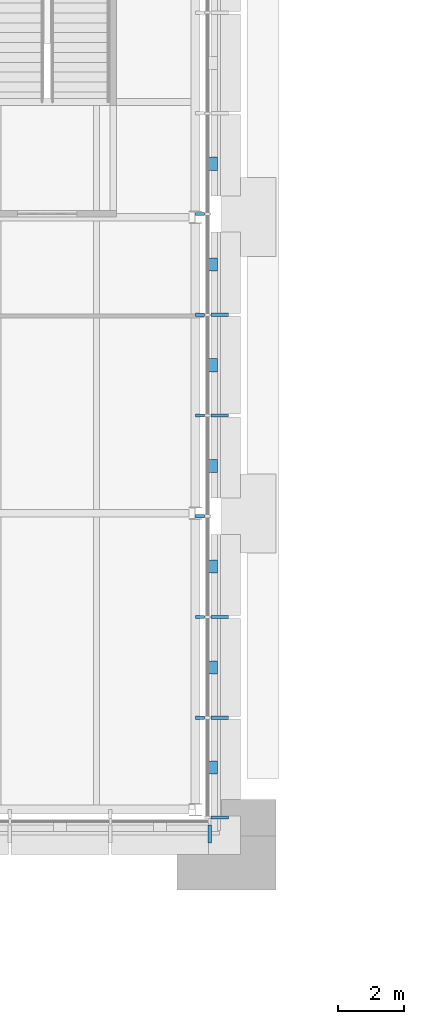
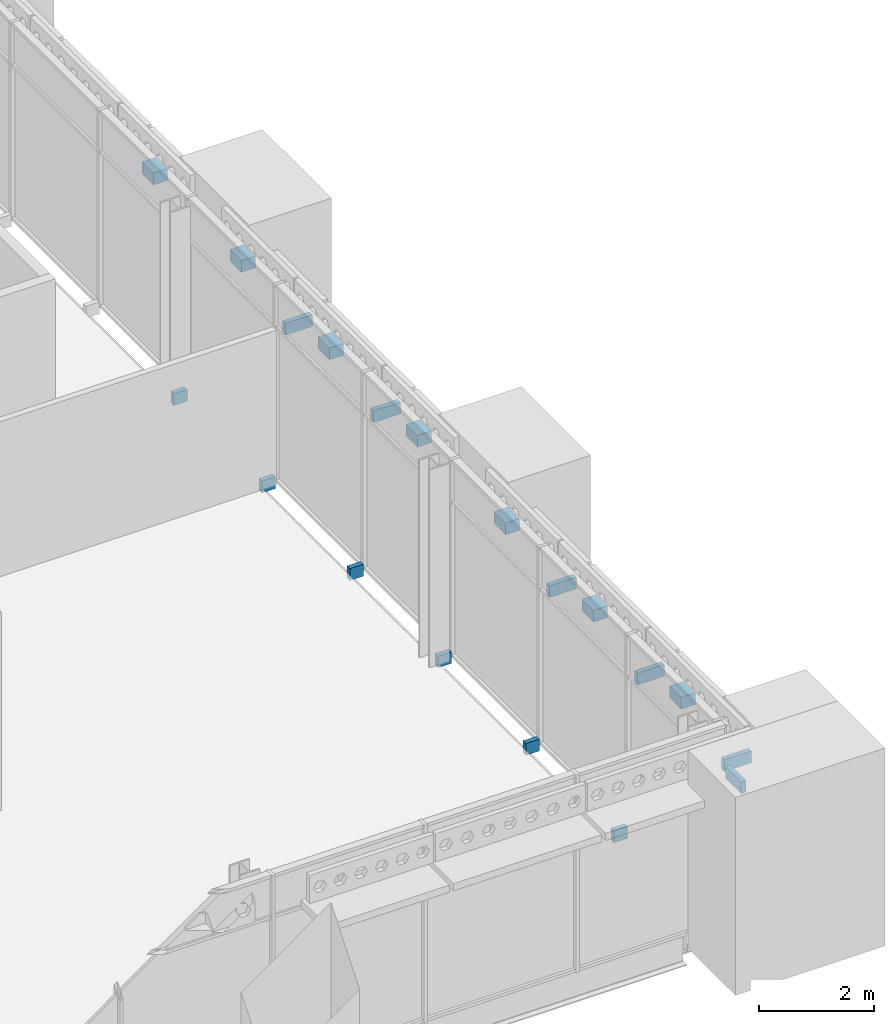
# One storey, part 120 of 153: 19 discrete accessories.
"""IFC4 building model written with IfcOpenShell, lengths in metres."""

from ifc_helpers import new_model, si_unit, direction, frame, origin, origin_2d, place, context, subcontext, project, spatial, rectangle, extrude, material, type_object, element, save


model = new_model("IFC4")

# Units and contexts
model_context = context("Model", 3, precision=1e-05, world=origin(), true_north=direction((0.0, 1.0)))
body_context = subcontext(model_context, "Body", "Model", "MODEL_VIEW")
ifc_project = project(units=[si_unit("LENGTHUNIT", "METRE"), si_unit("AREAUNIT", "SQUARE_METRE"), si_unit("VOLUMEUNIT", "CUBIC_METRE"), si_unit("PLANEANGLEUNIT", "RADIAN"), si_unit("MASSUNIT", "GRAM", prefix="KILO")], contexts=[model_context])

# Site, building, storey
site_placement = place(None, origin())
site = spatial("IfcSite", under=ifc_project, at=site_placement, CompositionType="ELEMENT")
building_placement = place(site_placement, origin())
building = spatial("IfcBuilding", under=site, at=building_placement, Name="Baradari Gate Terminus", CompositionType="ELEMENT")
storey_placement = place(building_placement, frame((0.0, 0.0, 11.699951171875)))
storey = spatial("IfcBuildingStorey", under=building, at=storey_placement, Name="L02", CompositionType="ELEMENT", Elevation=11.699951171875)

# Discrete accessories
ifc_material_1 = material(Name="Steel S275", Category="steel")
discrete_accessory_type_1 = type_object("IfcDiscreteAccessoryType", Name="Chhajja bracket BK-3 galvanised steel", PredefinedType="BRACKET", material=ifc_material_1)
for number, where, z_axis, x_axis, name in (
    (1, (63.4375, 116.260009765625, 3.08251953125), (0.0, 0.0, 1.0), (0.0, -1.0, 0.0), "Chhajja bracket BK-3 L02/TS mullion 19"),
    (2, (63.739990234375, 116.762451171875, 3.08251953125), (0.0, 0.0, 1.0), (1.0, 0.0, 0.0), "Chhajja bracket BK-3 L02/TE mullion 1"),
    (3, (63.739990234375, 119.7900390625, 3.08251953125), (0.0, 0.0, 1.0), (1.0, 0.0, 0.0), "Chhajja bracket BK-3 L02/TE mullion 2"),
    (4, (63.739990234375, 122.85009765625, 3.08251953125), (0.0, 0.0, 1.0), (1.0, 0.0, 0.0), "Chhajja bracket BK-3 L02/TE mullion 3"),
    (5, (63.739990234375, 128.969970703125, 3.08251953125), (0.0, 0.0, 1.0), (1.0, 0.0, 0.0), "Chhajja bracket BK-3 L02/TE mullion 5"),
    (6, (63.739990234375, 132.030029296875, 3.08251953125), (0.0, 0.0, 1.0), (1.0, 0.0, 0.0), "Chhajja bracket BK-3 L02/TE mullion 6"),
):
    element("IfcDiscreteAccessory", number, at=place(storey_placement, frame(where, z_axis=z_axis, x_axis=x_axis)), inside=storey, type_object=discrete_accessory_type_1, Name=name, PredefinedType="BRACKET", context=body_context, shape_type="SweptSolid", body=[
        extrude(rectangle(XDim=0.5400390625, YDim=0.10009765625, at=origin_2d()), origin(), (0.0, 0.0, 1.0), 0.25),
    ])
ifc_material_2 = material(Name="Aluminium 6063-T6", Category="aluminium")
discrete_accessory_type_2 = type_object("IfcDiscreteAccessoryType", Name="Curtain wall bracket BK-1 100x250", PredefinedType="BRACKET", material=ifc_material_2)
for number, where, z_axis, x_axis, name in (
    (7, (63.135009765625, 119.7900390625, -0.099853515625), (0.0, 0.0, 1.0), (1.0, 0.0, 0.0), "Curtain wall bracket BK-1 L02/TE mullion 2"),
    (8, (63.135009765625, 122.85009765625, -0.099853515625), (0.0, 0.0, 1.0), (1.0, 0.0, 0.0), "Curtain wall bracket BK-1 L02/TE mullion 3"),
    (9, (63.135009765625, 125.909912109375, -0.099853515625), (0.0, 0.0, 1.0), (1.0, 0.0, 0.0), "Curtain wall bracket BK-1 L02/TE mullion 4"),
    (10, (63.135009765625, 128.969970703125, -0.099853515625), (0.0, 0.0, 1.0), (1.0, 0.0, 0.0), "Curtain wall bracket BK-1 L02/TE mullion 5"),
    (11, (63.135009765625, 132.030029296875, -0.099853515625), (0.0, 0.0, 1.0), (1.0, 0.0, 0.0), "Curtain wall bracket BK-1 L02/TE mullion 6"),
    (12, (63.135009765625, 135.090087890625, -0.099853515625), (0.0, 0.0, 1.0), (1.0, 0.0, 0.0), "Curtain wall bracket BK-1 L02/TE mullion 7"),
):
    element("IfcDiscreteAccessory", number, at=place(storey_placement, frame(where, z_axis=z_axis, x_axis=x_axis)), inside=storey, type_object=discrete_accessory_type_2, Name=name, PredefinedType="BRACKET", context=body_context, shape_type="SweptSolid", body=[
        extrude(rectangle(XDim=0.27001953125, YDim=0.10009765625, at=origin_2d()), origin(), (0.0, 0.0, 1.0), 0.25),
    ])
ifc_material_3 = material(Name="Stainless steel 316", Category="steel")
discrete_accessory_type_3 = type_object("IfcDiscreteAccessoryType", Name="Jali screen bracket BK-2 stainless steel", PredefinedType="BRACKET", material=ifc_material_3)
for number, where, z_axis, x_axis, name in (
    (13, (63.527587890625, 118.2763671875, 3.60888671875), (0.0, 0.0, 1.0), (1.0, 0.0, 0.0), "Jali screen bracket BK-2 L02/TE bay 1"),
    (14, (63.527587890625, 121.320068359375, 3.60888671875), (0.0, 0.0, 1.0), (1.0, 0.0, 0.0), "Jali screen bracket BK-2 L02/TE bay 2"),
    (15, (63.527587890625, 124.3798828125, 3.60888671875), (0.0, 0.0, 1.0), (1.0, 0.0, 0.0), "Jali screen bracket BK-2 L02/TE bay 3"),
    (16, (63.527587890625, 127.43994140625, 3.60888671875), (0.0, 0.0, 1.0), (1.0, 0.0, 0.0), "Jali screen bracket BK-2 L02/TE bay 4"),
    (17, (63.527587890625, 130.5, 3.60888671875), (0.0, 0.0, 1.0), (1.0, 0.0, 0.0), "Jali screen bracket BK-2 L02/TE bay 5"),
    (18, (63.527587890625, 133.56005859375, 3.60888671875), (0.0, 0.0, 1.0), (1.0, 0.0, 0.0), "Jali screen bracket BK-2 L02/TE bay 6"),
    (19, (63.527587890625, 136.6201171875, 3.60888671875), (0.0, 0.0, 1.0), (1.0, 0.0, 0.0), "Jali screen bracket BK-2 L02/TE bay 7"),
):
    element("IfcDiscreteAccessory", number, at=place(storey_placement, frame(where, z_axis=z_axis, x_axis=x_axis)), inside=storey, type_object=discrete_accessory_type_3, Name=name, PredefinedType="BRACKET", context=body_context, shape_type="SweptSolid", body=[
        extrude(rectangle(XDim=0.284912109375, YDim=0.39990234375, at=origin_2d()), origin(), (0.0, 0.0, 1.0), 0.25),
    ])

save(model, "model.ifc")
